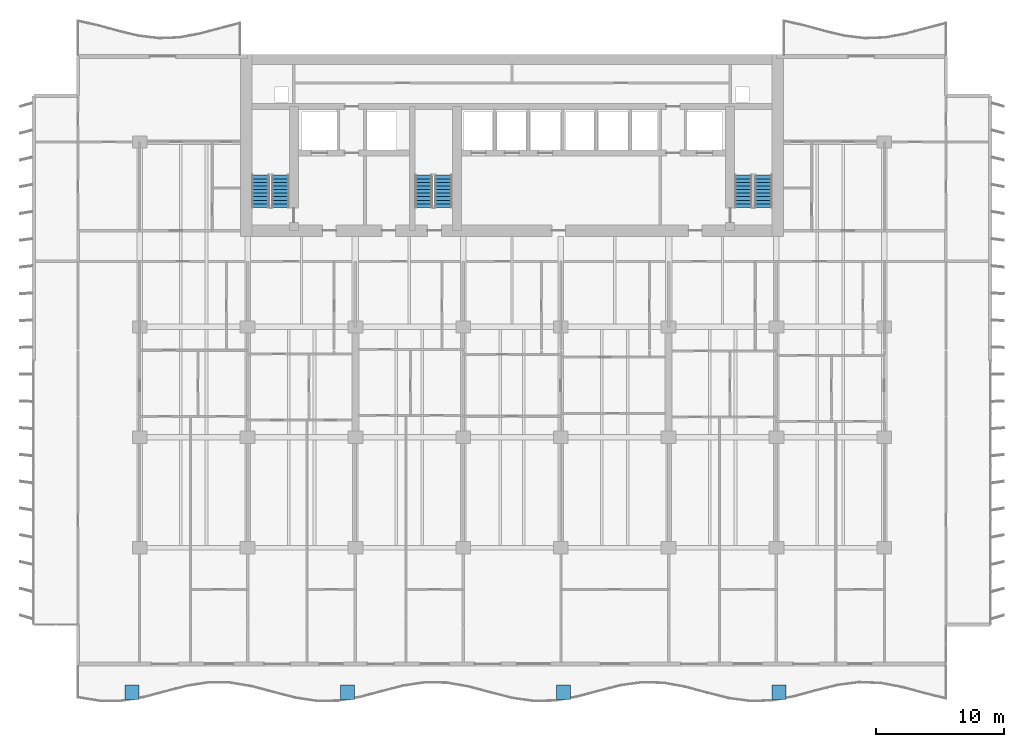
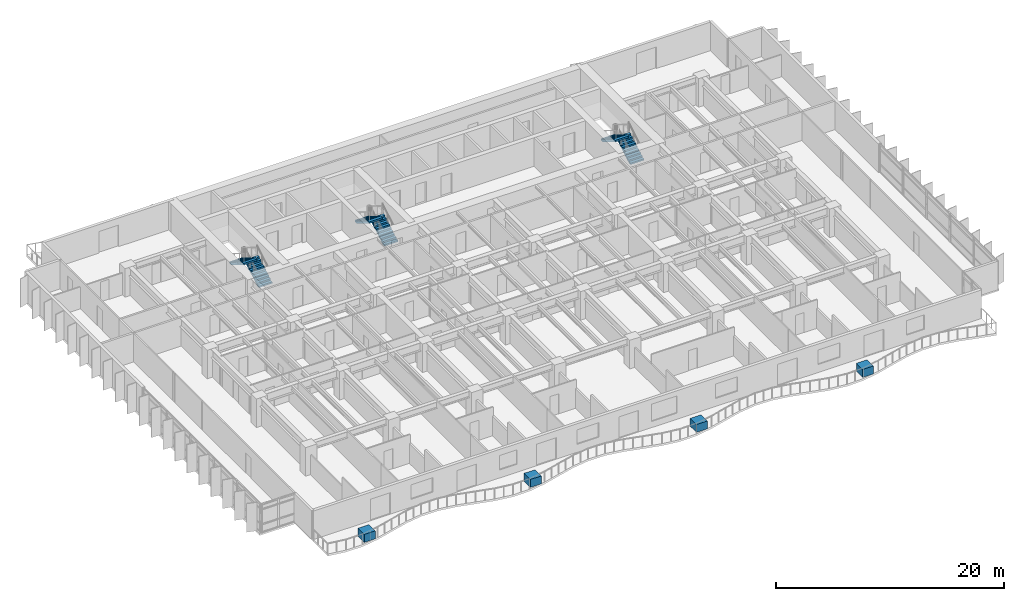
# One storey, part 13 of 17: 6 stair flights, 4 discrete accessories, 3 elements without a shape of their own.
"""IFC4 building model written with IfcOpenShell, lengths in metres."""

from ifc_helpers import new_model, si_unit, direction, frame, origin, origin_2d, place, context, subcontext, project, spatial, polyline, rectangle, outline, extrude, material, type_object, element, aggregate, save


model = new_model("IFC4")

# Units and contexts
model_context = context("Model", 3, precision=1e-05, world=origin(), true_north=direction((0.0, 1.0)))
body_context = subcontext(model_context, "Body", "Model", "MODEL_VIEW")
ifc_project = project(units=[si_unit("LENGTHUNIT", "METRE"), si_unit("AREAUNIT", "SQUARE_METRE"), si_unit("VOLUMEUNIT", "CUBIC_METRE"), si_unit("PLANEANGLEUNIT", "RADIAN"), si_unit("MASSUNIT", "GRAM", prefix="KILO")], contexts=[model_context])

# Site, building, storey
site_placement = place(None, origin())
site = spatial("IfcSite", under=ifc_project, at=site_placement, CompositionType="ELEMENT")
building_placement = place(site_placement, origin())
building = spatial("IfcBuilding", under=site, at=building_placement, Name="Caelmar Bay Residences", CompositionType="ELEMENT")
storey_placement = place(building_placement, frame((0.0, 0.0, 33.300048828125)))
storey = spatial("IfcBuildingStorey", under=building, at=storey_placement, Name="L07", CompositionType="ELEMENT", Elevation=33.300048828125)

# Stair, stair flights
ifc_material_1 = material(Name="Concrete f'c 40 MPa (6,000 psi)", Category="concrete")
stair_type = type_object("IfcStairType", Name="ST-TYP-165", PredefinedType="HALF_TURN_STAIR", material=ifc_material_1)
stair_1_placement = place(storey_placement, origin())
stair_1 = element("IfcStair", 1, at=stair_1_placement, inside=storey, type_object=stair_type, Name="L07 West Smokeproof Exit Stair ST1", PredefinedType="HALF_TURN_STAIR")
stair_flight_type = type_object("IfcStairFlightType", Name="STF-1350", PredefinedType="STRAIGHT", material=ifc_material_1)
stair_flight_1_placement = place(storey_placement, frame((20.875, 38.699951171875, 0.0), z_axis=(0.0, 0.0, 1.0), x_axis=(0.0, 1.0, 0.0)))
stair_flight_1 = element("IfcStairFlight", 2, at=stair_flight_1_placement, type_object=stair_flight_type, Name="ST1 flight 1", NumberOfRisers=10, NumberOfTreads=9, PredefinedType="STRAIGHT", RiserHeight=0.165, TreadLength=0.28, context=body_context, shape_type="SweptSolid", body=[
    extrude(outline(polyline([(0.0, 0.0), (0.0, 0.1650390625), (0.280029296875, 0.1650390625), (0.280029296875, 0.330078125), (0.56005859375, 0.330078125), (0.56005859375, 0.4951171875), (0.840087890625, 0.4951171875), (0.840087890625, 0.659912109375), (1.1201171875, 0.659912109375), (1.1201171875, 0.824951171875), (1.39990234375, 0.824951171875), (1.39990234375, 0.989990234375), (1.679931640625, 0.989990234375), (1.679931640625, 1.155029296875), (1.9599609375, 1.155029296875), (1.9599609375, 1.320068359375), (2.239990234375, 1.320068359375), (2.239990234375, 1.485107421875), (2.52001953125, 1.485107421875), (2.52001953125, 1.64990234375), (2.52001953125, 1.31103515625), (0.295166015625, 0.0), (0.0, 0.0)])), frame((0.0, 0.675048828125, 0.0), z_axis=(0.0, -1.0, 0.0), x_axis=(1.0, 0.0, 0.0)), (0.0, 0.0, 1.0), 1.35009765625),
])
stair_flight_2_placement = place(storey_placement, frame((19.324951171875, 41.219970703125, 1.64990234375), z_axis=(0.0, 0.0, 1.0), x_axis=(0.0, -1.0, 0.0)))
stair_flight_2 = element("IfcStairFlight", 3, at=stair_flight_2_placement, type_object=stair_flight_type, Name="ST1 flight 2", NumberOfRisers=10, NumberOfTreads=9, PredefinedType="STRAIGHT", RiserHeight=0.165, TreadLength=0.28, context=body_context, shape_type="SweptSolid", body=[
    extrude(outline(polyline([(0.0, 0.0), (0.0, 0.1650390625), (0.280029296875, 0.1650390625), (0.280029296875, 0.330078125), (0.56005859375, 0.330078125), (0.56005859375, 0.4951171875), (0.840087890625, 0.4951171875), (0.840087890625, 0.659912109375), (1.1201171875, 0.659912109375), (1.1201171875, 0.824951171875), (1.39990234375, 0.824951171875), (1.39990234375, 0.989990234375), (1.679931640625, 0.989990234375), (1.679931640625, 1.155029296875), (1.9599609375, 1.155029296875), (1.9599609375, 1.320068359375), (2.239990234375, 1.320068359375), (2.239990234375, 1.485107421875), (2.52001953125, 1.485107421875), (2.52001953125, 1.64990234375), (2.52001953125, 1.31103515625), (0.295166015625, 0.0), (0.0, 0.0)])), frame((0.0, 0.675048828125, 0.0), z_axis=(0.0, -1.0, 0.0), x_axis=(1.0, 0.0, 0.0)), (0.0, 0.0, 1.0), 1.35009765625),
])
aggregate(stair_1, [stair_flight_1, stair_flight_2])

stair_2_placement = place(storey_placement, origin())
stair_2 = element("IfcStair", 4, at=stair_2_placement, inside=storey, type_object=stair_type, Name="L07 East Smokeproof Exit Stair ST2", PredefinedType="HALF_TURN_STAIR")
stair_flight_3_placement = place(storey_placement, frame((58.47509765625, 38.699951171875, 0.0), z_axis=(0.0, 0.0, 1.0), x_axis=(0.0, 1.0, 0.0)))
stair_flight_3 = element("IfcStairFlight", 5, at=stair_flight_3_placement, type_object=stair_flight_type, Name="ST2 flight 1", NumberOfRisers=10, NumberOfTreads=9, PredefinedType="STRAIGHT", RiserHeight=0.165, TreadLength=0.28, context=body_context, shape_type="SweptSolid", body=[
    extrude(outline(polyline([(0.0, 0.0), (0.0, 0.1650390625), (0.280029296875, 0.1650390625), (0.280029296875, 0.330078125), (0.56005859375, 0.330078125), (0.56005859375, 0.4951171875), (0.840087890625, 0.4951171875), (0.840087890625, 0.659912109375), (1.1201171875, 0.659912109375), (1.1201171875, 0.824951171875), (1.39990234375, 0.824951171875), (1.39990234375, 0.989990234375), (1.679931640625, 0.989990234375), (1.679931640625, 1.155029296875), (1.9599609375, 1.155029296875), (1.9599609375, 1.320068359375), (2.239990234375, 1.320068359375), (2.239990234375, 1.485107421875), (2.52001953125, 1.485107421875), (2.52001953125, 1.64990234375), (2.52001953125, 1.31103515625), (0.295166015625, 0.0), (0.0, 0.0)])), frame((0.0, 0.675048828125, 0.0), z_axis=(0.0, -1.0, 0.0), x_axis=(1.0, 0.0, 0.0)), (0.0, 0.0, 1.0), 1.35009765625),
])
stair_flight_4_placement = place(storey_placement, frame((56.925048828125, 41.219970703125, 1.64990234375), z_axis=(0.0, 0.0, 1.0), x_axis=(0.0, -1.0, 0.0)))
stair_flight_4 = element("IfcStairFlight", 6, at=stair_flight_4_placement, type_object=stair_flight_type, Name="ST2 flight 2", NumberOfRisers=10, NumberOfTreads=9, PredefinedType="STRAIGHT", RiserHeight=0.165, TreadLength=0.28, context=body_context, shape_type="SweptSolid", body=[
    extrude(outline(polyline([(0.0, 0.0), (0.0, 0.1650390625), (0.280029296875, 0.1650390625), (0.280029296875, 0.330078125), (0.56005859375, 0.330078125), (0.56005859375, 0.4951171875), (0.840087890625, 0.4951171875), (0.840087890625, 0.659912109375), (1.1201171875, 0.659912109375), (1.1201171875, 0.824951171875), (1.39990234375, 0.824951171875), (1.39990234375, 0.989990234375), (1.679931640625, 0.989990234375), (1.679931640625, 1.155029296875), (1.9599609375, 1.155029296875), (1.9599609375, 1.320068359375), (2.239990234375, 1.320068359375), (2.239990234375, 1.485107421875), (2.52001953125, 1.485107421875), (2.52001953125, 1.64990234375), (2.52001953125, 1.31103515625), (0.295166015625, 0.0), (0.0, 0.0)])), frame((0.0, 0.675048828125, 0.0), z_axis=(0.0, -1.0, 0.0), x_axis=(1.0, 0.0, 0.0)), (0.0, 0.0, 1.0), 1.35009765625),
])
aggregate(stair_2, [stair_flight_3, stair_flight_4])

stair_3_placement = place(storey_placement, origin())
stair_3 = element("IfcStair", 7, at=stair_3_placement, inside=storey, type_object=stair_type, Name="L07 Central Smokeproof Exit Stair ST3", PredefinedType="HALF_TURN_STAIR")
stair_flight_5_placement = place(storey_placement, frame((33.574951171875, 38.699951171875, 0.0), z_axis=(0.0, 0.0, 1.0), x_axis=(0.0, 1.0, 0.0)))
stair_flight_5 = element("IfcStairFlight", 8, at=stair_flight_5_placement, type_object=stair_flight_type, Name="ST3 flight 1", NumberOfRisers=10, NumberOfTreads=9, PredefinedType="STRAIGHT", RiserHeight=0.165, TreadLength=0.28, context=body_context, shape_type="SweptSolid", body=[
    extrude(outline(polyline([(0.0, 0.0), (0.0, 0.1650390625), (0.280029296875, 0.1650390625), (0.280029296875, 0.330078125), (0.56005859375, 0.330078125), (0.56005859375, 0.4951171875), (0.840087890625, 0.4951171875), (0.840087890625, 0.659912109375), (1.1201171875, 0.659912109375), (1.1201171875, 0.824951171875), (1.39990234375, 0.824951171875), (1.39990234375, 0.989990234375), (1.679931640625, 0.989990234375), (1.679931640625, 1.155029296875), (1.9599609375, 1.155029296875), (1.9599609375, 1.320068359375), (2.239990234375, 1.320068359375), (2.239990234375, 1.485107421875), (2.52001953125, 1.485107421875), (2.52001953125, 1.64990234375), (2.52001953125, 1.31103515625), (0.295166015625, 0.0), (0.0, 0.0)])), frame((0.0, 0.675048828125, 0.0), z_axis=(0.0, -1.0, 0.0), x_axis=(1.0, 0.0, 0.0)), (0.0, 0.0, 1.0), 1.35009765625),
])
stair_flight_6_placement = place(storey_placement, frame((32.02490234375, 41.219970703125, 1.64990234375), z_axis=(0.0, 0.0, 1.0), x_axis=(0.0, -1.0, 0.0)))
stair_flight_6 = element("IfcStairFlight", 9, at=stair_flight_6_placement, type_object=stair_flight_type, Name="ST3 flight 2", NumberOfRisers=10, NumberOfTreads=9, PredefinedType="STRAIGHT", RiserHeight=0.165, TreadLength=0.28, context=body_context, shape_type="SweptSolid", body=[
    extrude(outline(polyline([(0.0, 0.0), (0.0, 0.1650390625), (0.280029296875, 0.1650390625), (0.280029296875, 0.330078125), (0.56005859375, 0.330078125), (0.56005859375, 0.4951171875), (0.840087890625, 0.4951171875), (0.840087890625, 0.659912109375), (1.1201171875, 0.659912109375), (1.1201171875, 0.824951171875), (1.39990234375, 0.824951171875), (1.39990234375, 0.989990234375), (1.679931640625, 0.989990234375), (1.679931640625, 1.155029296875), (1.9599609375, 1.155029296875), (1.9599609375, 1.320068359375), (2.239990234375, 1.320068359375), (2.239990234375, 1.485107421875), (2.52001953125, 1.485107421875), (2.52001953125, 1.64990234375), (2.52001953125, 1.31103515625), (0.295166015625, 0.0), (0.0, 0.0)])), frame((0.0, 0.675048828125, 0.0), z_axis=(0.0, -1.0, 0.0), x_axis=(1.0, 0.0, 0.0)), (0.0, 0.0, 1.0), 1.35009765625),
])
aggregate(stair_3, [stair_flight_5, stair_flight_6])

# Discrete accessories
ifc_material_2 = material(Name="Architectural bronze GRC planter trough with volcanic-lapilli substrate")
discrete_accessory_type = type_object("IfcDiscreteAccessoryType", Name="ACC-PLANTER-1100", PredefinedType="USERDEFINED", material=ifc_material_2)
for number, where, z_axis, x_axis, name in (
    (10, (9.300048828125, 0.943115234375, 0.0), (0.0, 0.0, 1.0), (1.0, 0.0, 0.0), "L07 Balcony Structural Tree Planter 1"),
    (11, (26.10009765625, 0.943115234375, 0.0), (0.0, 0.0, 1.0), (1.0, 0.0, 0.0), "L07 Balcony Structural Tree Planter 2"),
    (12, (42.89990234375, 0.943115234375, 0.0), (0.0, 0.0, 1.0), (1.0, 0.0, 0.0), "L07 Balcony Structural Tree Planter 3"),
    (13, (59.699951171875, 0.943115234375, 0.0), (0.0, 0.0, 1.0), (1.0, 0.0, 0.0), "L07 Balcony Structural Tree Planter 4"),
):
    element("IfcDiscreteAccessory", number, at=place(storey_placement, frame(where, z_axis=z_axis, x_axis=x_axis)), inside=storey, type_object=discrete_accessory_type, Name=name, ObjectType="PLANTER", PredefinedType="USERDEFINED", context=body_context, shape_type="SweptSolid", body=[
        extrude(rectangle(XDim=1.10009765625, YDim=1.10009765625, at=origin_2d()), origin(), (0.0, 0.0, 1.0), 0.85009765625),
    ])

save(model, "model.ifc")
